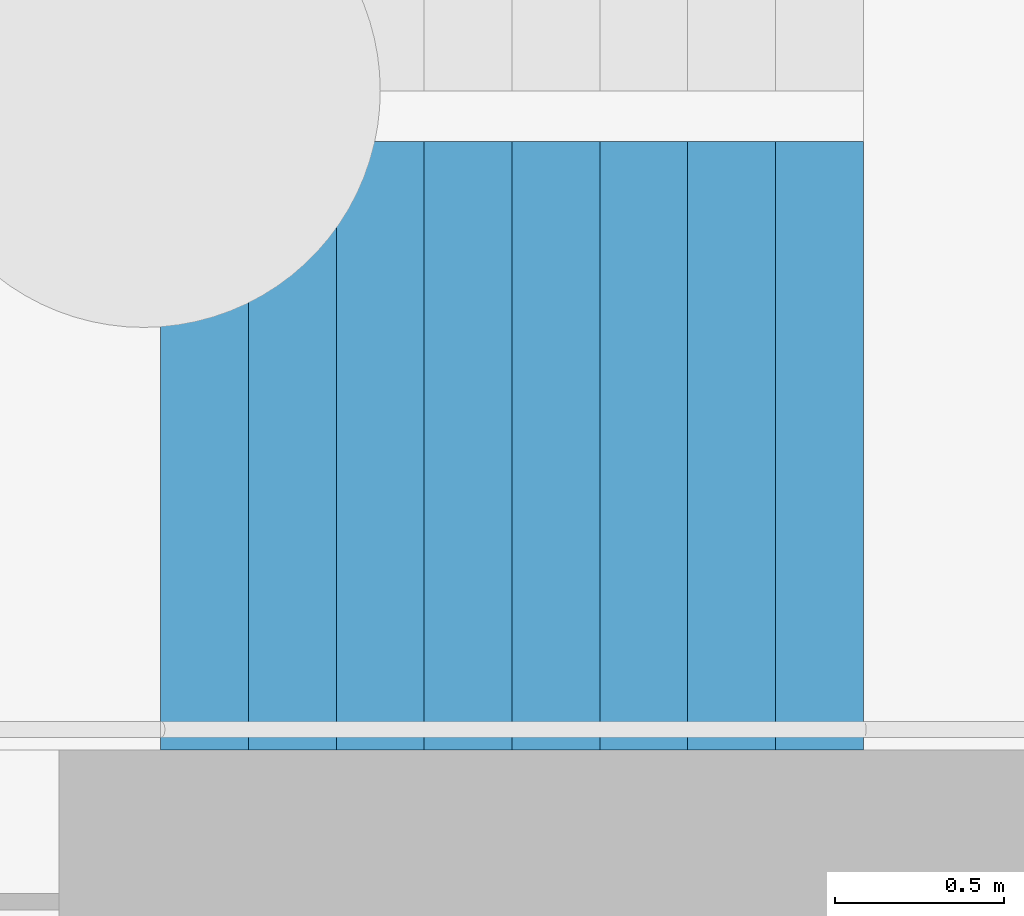
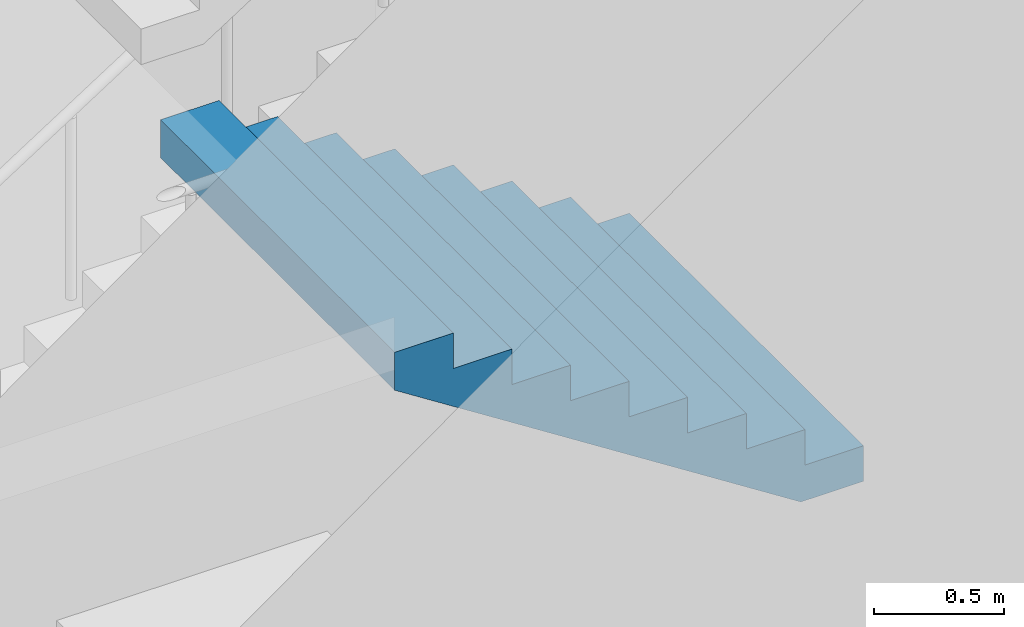
# One storey, part 68 of 113: 1 stair flight, 1 element without a shape of its own.
"""IFC4 building model written with IfcOpenShell, lengths in metres."""

from ifc_helpers import new_model, si_unit, direction, frame, origin, place, context, subcontext, project, spatial, triangles, material, type_object, element, aggregate, save


model = new_model("IFC4")

# Units and contexts
model_context = context("Model", 3, precision=1e-05, world=origin(), true_north=direction((0.0, 1.0)))
body_context = subcontext(model_context, "Body", "Model", "MODEL_VIEW")
ifc_project = project(units=[si_unit("LENGTHUNIT", "METRE"), si_unit("AREAUNIT", "SQUARE_METRE"), si_unit("VOLUMEUNIT", "CUBIC_METRE"), si_unit("PLANEANGLEUNIT", "RADIAN"), si_unit("MASSUNIT", "GRAM", prefix="KILO")], contexts=[model_context])

# Site, building, storey
site_placement = place(None, origin())
site = spatial("IfcSite", under=ifc_project, at=site_placement, CompositionType="ELEMENT")
building_placement = place(site_placement, origin())
building = spatial("IfcBuilding", under=site, at=building_placement, Name="Hakoniwa Tower and Hamabe Station Hall", CompositionType="ELEMENT")
storey_placement = place(building_placement, origin())
storey = spatial("IfcBuildingStorey", under=building, at=storey_placement, Name="L01", CompositionType="ELEMENT", Elevation=0.0)

# Stair, stair flight
ifc_material_1 = material(Name="Concrete C40", Category="concrete")
stair_type = type_object("IfcStairType", Name="ESCAPE STAIR 1800", PredefinedType="HALF_TURN_STAIR", material=ifc_material_1)
stair_placement = place(storey_placement, origin())
stair = element("IfcStair", 1, at=stair_placement, inside=storey, type_object=stair_type, Name="Escape stair ST-4 L01", PredefinedType="HALF_TURN_STAIR")
ifc_material_2 = material(Name="Concrete C40", Category="concrete")
stair_flight_type = type_object("IfcStairFlightType", Name="STAIR FLIGHT 1800", PredefinedType="STRAIGHT", material=ifc_material_2)
stair_flight_placement = place(storey_placement, frame((25.47998046875, -6.60009765625, 1.5), z_axis=(0.0, 0.0, 1.0), x_axis=(-1.0, 0.0, 0.0)))
stair_flight = element("IfcStairFlight", 2, at=stair_flight_placement, type_object=stair_flight_type, Name="ST-4 flight 2", NumberOfRisers=9, NumberOfTreads=8, PredefinedType="STRAIGHT", RiserHeight=0.166666667, TreadLength=0.26, context=body_context, shape_type="Tessellation", body=[
    triangles([(0.0, 0.89990234375, 0.0), (0.260009765625, 0.89990234375, 0.0), (0.27783203125, 0.89990234375, 0.0), (0.52001953125, 0.89990234375, 0.1552734375), (0.780029296875, 0.89990234375, 0.322021484375), (1.0400390625, 0.89990234375, 0.488525390625), (1.300048828125, 0.89990234375, 0.6552734375), (1.56005859375, 0.89990234375, 0.822021484375), (1.820068359375, 0.89990234375, 0.988525390625), (2.080078125, 0.89990234375, 1.1552734375), (2.080078125, 0.89990234375, 1.333251953125), (1.820068359375, 0.89990234375, 1.333251953125), (1.820068359375, 0.89990234375, 1.166748046875), (1.56005859375, 0.89990234375, 1.166748046875), (1.56005859375, 0.89990234375, 1.0), (1.300048828125, 0.89990234375, 1.0), (1.300048828125, 0.89990234375, 0.833251953125), (1.0400390625, 0.89990234375, 0.833251953125), (1.0400390625, 0.89990234375, 0.666748046875), (0.780029296875, 0.89990234375, 0.666748046875), (0.780029296875, 0.89990234375, 0.5), (0.52001953125, 0.89990234375, 0.5), (0.52001953125, 0.89990234375, 0.333251953125), (0.27783203125, 0.89990234375, 0.333251953125), (0.260009765625, 0.89990234375, 0.333251953125), (0.260009765625, 0.89990234375, 0.166748046875), (0.0, 0.89990234375, 0.166748046875), (0.0, 0.06005859375, 0.0), (0.260009765625, 0.06005859375, 0.0), (0.27783203125, 0.06005859375, 0.0), (0.52001953125, 0.06005859375, 0.1552734375), (0.780029296875, 0.06005859375, 0.322021484375), (1.0400390625, 0.06005859375, 0.488525390625), (1.300048828125, 0.06005859375, 0.6552734375), (1.56005859375, 0.06005859375, 0.822021484375), (1.820068359375, 0.06005859375, 0.988525390625), (2.080078125, 0.06005859375, 1.1552734375), (2.080078125, 0.06005859375, 1.333251953125), (1.820068359375, 0.06005859375, 1.333251953125), (1.820068359375, 0.06005859375, 1.166748046875), (1.56005859375, 0.06005859375, 1.166748046875), (1.56005859375, 0.06005859375, 1.0), (1.300048828125, 0.06005859375, 1.0), (1.300048828125, 0.06005859375, 0.833251953125), (1.0400390625, 0.06005859375, 0.833251953125), (1.0400390625, 0.06005859375, 0.666748046875), (0.780029296875, 0.06005859375, 0.666748046875), (0.780029296875, 0.06005859375, 0.5), (0.52001953125, 0.06005859375, 0.5), (0.52001953125, 0.06005859375, 0.333251953125), (0.27783203125, 0.06005859375, 0.333251953125), (0.260009765625, 0.06005859375, 0.333251953125), (0.260009765625, 0.06005859375, 0.166748046875), (0.0, 0.06005859375, 0.166748046875), (0.0, 0.04296875, 0.0), (0.260009765625, 0.04296875, 0.0), (0.27783203125, 0.04296875, 0.0), (0.52001953125, 0.04296875, 0.1552734375), (0.780029296875, 0.04296875, 0.322021484375), (1.0400390625, 0.04296875, 0.488525390625), (1.300048828125, 0.04296875, 0.6552734375), (1.56005859375, 0.04296875, 0.822021484375), (1.820068359375, 0.04296875, 0.988525390625), (2.080078125, 0.04296875, 1.1552734375), (2.080078125, 0.04296875, 1.333251953125), (1.820068359375, 0.04296875, 1.333251953125), (1.820068359375, 0.04296875, 1.166748046875), (1.56005859375, 0.04296875, 1.166748046875), (1.56005859375, 0.04296875, 1.0), (1.300048828125, 0.04296875, 1.0), (1.300048828125, 0.04296875, 0.833251953125), (1.0400390625, 0.04296875, 0.833251953125), (1.0400390625, 0.04296875, 0.666748046875), (0.780029296875, 0.04296875, 0.666748046875), (0.780029296875, 0.04296875, 0.5), (0.52001953125, 0.04296875, 0.5), (0.52001953125, 0.04296875, 0.333251953125), (0.27783203125, 0.04296875, 0.333251953125), (0.260009765625, 0.04296875, 0.333251953125), (0.260009765625, 0.04296875, 0.166748046875), (0.0, 0.04296875, 0.166748046875), (0.0, 0.025634765625, 0.0), (0.260009765625, 0.025634765625, 0.0), (0.27783203125, 0.025634765625, 0.0), (0.52001953125, 0.025634765625, 0.1552734375), (0.780029296875, 0.025634765625, 0.322021484375), (1.0400390625, 0.025634765625, 0.488525390625), (1.300048828125, 0.025634765625, 0.6552734375), (1.56005859375, 0.025634765625, 0.822021484375), (1.820068359375, 0.025634765625, 0.988525390625), (2.080078125, 0.025634765625, 1.1552734375), (2.080078125, 0.025634765625, 1.333251953125), (1.820068359375, 0.025634765625, 1.333251953125), (1.820068359375, 0.025634765625, 1.166748046875), (1.56005859375, 0.025634765625, 1.166748046875), (1.56005859375, 0.025634765625, 1.0), (1.300048828125, 0.025634765625, 1.0), (1.300048828125, 0.025634765625, 0.833251953125), (1.0400390625, 0.025634765625, 0.833251953125), (1.0400390625, 0.025634765625, 0.666748046875), (0.780029296875, 0.025634765625, 0.666748046875), (0.780029296875, 0.025634765625, 0.5), (0.52001953125, 0.025634765625, 0.5), (0.52001953125, 0.025634765625, 0.333251953125), (0.27783203125, 0.025634765625, 0.333251953125), (0.260009765625, 0.025634765625, 0.333251953125), (0.260009765625, 0.025634765625, 0.166748046875), (0.0, 0.025634765625, 0.166748046875), (0.0, 0.008544921875, 0.0), (0.260009765625, 0.008544921875, 0.0), (0.27783203125, 0.008544921875, 0.0), (0.52001953125, 0.008544921875, 0.1552734375), (0.780029296875, 0.008544921875, 0.322021484375), (1.0400390625, 0.008544921875, 0.488525390625), (1.300048828125, 0.008544921875, 0.6552734375), (1.56005859375, 0.008544921875, 0.822021484375), (1.820068359375, 0.008544921875, 0.988525390625), (2.080078125, 0.008544921875, 1.1552734375), (2.080078125, 0.008544921875, 1.333251953125), (1.820068359375, 0.008544921875, 1.333251953125), (1.820068359375, 0.008544921875, 1.166748046875), (1.56005859375, 0.008544921875, 1.166748046875), (1.56005859375, 0.008544921875, 1.0), (1.300048828125, 0.008544921875, 1.0), (1.300048828125, 0.008544921875, 0.833251953125), (1.0400390625, 0.008544921875, 0.833251953125), (1.0400390625, 0.008544921875, 0.666748046875), (0.780029296875, 0.008544921875, 0.666748046875), (0.780029296875, 0.008544921875, 0.5), (0.52001953125, 0.008544921875, 0.5), (0.52001953125, 0.008544921875, 0.333251953125), (0.27783203125, 0.008544921875, 0.333251953125), (0.260009765625, 0.008544921875, 0.333251953125), (0.260009765625, 0.008544921875, 0.166748046875), (0.0, 0.008544921875, 0.166748046875), (0.0, -0.008544921875, 0.0), (0.260009765625, -0.008544921875, 0.0), (0.27783203125, -0.008544921875, 0.0), (0.52001953125, -0.008544921875, 0.1552734375), (0.780029296875, -0.008544921875, 0.322021484375), (1.0400390625, -0.008544921875, 0.488525390625), (1.300048828125, -0.008544921875, 0.6552734375), (1.56005859375, -0.008544921875, 0.822021484375), (1.820068359375, -0.008544921875, 0.988525390625), (2.080078125, -0.008544921875, 1.1552734375), (2.080078125, -0.008544921875, 1.333251953125), (1.820068359375, -0.008544921875, 1.333251953125), (1.820068359375, -0.008544921875, 1.166748046875), (1.56005859375, -0.008544921875, 1.166748046875), (1.56005859375, -0.008544921875, 1.0), (1.300048828125, -0.008544921875, 1.0), (1.300048828125, -0.008544921875, 0.833251953125), (1.0400390625, -0.008544921875, 0.833251953125), (1.0400390625, -0.008544921875, 0.666748046875), (0.780029296875, -0.008544921875, 0.666748046875), (0.780029296875, -0.008544921875, 0.5), (0.52001953125, -0.008544921875, 0.5), (0.52001953125, -0.008544921875, 0.333251953125), (0.27783203125, -0.008544921875, 0.333251953125), (0.260009765625, -0.008544921875, 0.333251953125), (0.260009765625, -0.008544921875, 0.166748046875), (0.0, -0.008544921875, 0.166748046875), (0.0, -0.025634765625, 0.0), (0.260009765625, -0.025634765625, 0.0), (0.27783203125, -0.025634765625, 0.0), (0.52001953125, -0.025634765625, 0.1552734375), (0.780029296875, -0.025634765625, 0.322021484375), (1.0400390625, -0.025634765625, 0.488525390625), (1.300048828125, -0.025634765625, 0.6552734375), (1.56005859375, -0.025634765625, 0.822021484375), (1.820068359375, -0.025634765625, 0.988525390625), (2.080078125, -0.025634765625, 1.1552734375), (2.080078125, -0.025634765625, 1.333251953125), (1.820068359375, -0.025634765625, 1.333251953125), (1.820068359375, -0.025634765625, 1.166748046875), (1.56005859375, -0.025634765625, 1.166748046875), (1.56005859375, -0.025634765625, 1.0), (1.300048828125, -0.025634765625, 1.0), (1.300048828125, -0.025634765625, 0.833251953125), (1.0400390625, -0.025634765625, 0.833251953125), (1.0400390625, -0.025634765625, 0.666748046875), (0.780029296875, -0.025634765625, 0.666748046875), (0.780029296875, -0.025634765625, 0.5), (0.52001953125, -0.025634765625, 0.5), (0.52001953125, -0.025634765625, 0.333251953125), (0.27783203125, -0.025634765625, 0.333251953125), (0.260009765625, -0.025634765625, 0.333251953125), (0.260009765625, -0.025634765625, 0.166748046875), (0.0, -0.025634765625, 0.166748046875), (0.0, -0.04296875, 0.0), (0.260009765625, -0.04296875, 0.0), (0.27783203125, -0.04296875, 0.0), (0.52001953125, -0.04296875, 0.1552734375), (0.780029296875, -0.04296875, 0.322021484375), (1.0400390625, -0.04296875, 0.488525390625), (1.300048828125, -0.04296875, 0.6552734375), (1.56005859375, -0.04296875, 0.822021484375), (1.820068359375, -0.04296875, 0.988525390625), (2.080078125, -0.04296875, 1.1552734375), (2.080078125, -0.04296875, 1.333251953125), (1.820068359375, -0.04296875, 1.333251953125), (1.820068359375, -0.04296875, 1.166748046875), (1.56005859375, -0.04296875, 1.166748046875), (1.56005859375, -0.04296875, 1.0), (1.300048828125, -0.04296875, 1.0), (1.300048828125, -0.04296875, 0.833251953125), (1.0400390625, -0.04296875, 0.833251953125), (1.0400390625, -0.04296875, 0.666748046875), (0.780029296875, -0.04296875, 0.666748046875), (0.780029296875, -0.04296875, 0.5), (0.52001953125, -0.04296875, 0.5), (0.52001953125, -0.04296875, 0.333251953125), (0.27783203125, -0.04296875, 0.333251953125), (0.260009765625, -0.04296875, 0.333251953125), (0.260009765625, -0.04296875, 0.166748046875), (0.0, -0.04296875, 0.166748046875), (0.0, -0.06005859375, 0.0), (0.260009765625, -0.06005859375, 0.0), (0.27783203125, -0.06005859375, 0.0), (0.52001953125, -0.06005859375, 0.1552734375), (0.780029296875, -0.06005859375, 0.322021484375), (1.0400390625, -0.06005859375, 0.488525390625), (1.300048828125, -0.06005859375, 0.6552734375), (1.56005859375, -0.06005859375, 0.822021484375), (1.820068359375, -0.06005859375, 0.988525390625), (2.080078125, -0.06005859375, 1.1552734375), (2.080078125, -0.06005859375, 1.333251953125), (1.820068359375, -0.06005859375, 1.333251953125), (1.820068359375, -0.06005859375, 1.166748046875), (1.56005859375, -0.06005859375, 1.166748046875), (1.56005859375, -0.06005859375, 1.0), (1.300048828125, -0.06005859375, 1.0), (1.300048828125, -0.06005859375, 0.833251953125), (1.0400390625, -0.06005859375, 0.833251953125), (1.0400390625, -0.06005859375, 0.666748046875), (0.780029296875, -0.06005859375, 0.666748046875), (0.780029296875, -0.06005859375, 0.5), (0.52001953125, -0.06005859375, 0.5), (0.52001953125, -0.06005859375, 0.333251953125), (0.27783203125, -0.06005859375, 0.333251953125), (0.260009765625, -0.06005859375, 0.333251953125), (0.260009765625, -0.06005859375, 0.166748046875), (0.0, -0.06005859375, 0.166748046875), (0.0, -0.89990234375, 0.0), (0.260009765625, -0.89990234375, 0.0), (0.27783203125, -0.89990234375, 0.0), (0.52001953125, -0.89990234375, 0.1552734375), (0.780029296875, -0.89990234375, 0.322021484375), (1.0400390625, -0.89990234375, 0.488525390625), (1.300048828125, -0.89990234375, 0.6552734375), (1.56005859375, -0.89990234375, 0.822021484375), (1.820068359375, -0.89990234375, 0.988525390625), (2.080078125, -0.89990234375, 1.1552734375), (2.080078125, -0.89990234375, 1.333251953125), (1.820068359375, -0.89990234375, 1.333251953125), (1.820068359375, -0.89990234375, 1.166748046875), (1.56005859375, -0.89990234375, 1.166748046875), (1.56005859375, -0.89990234375, 1.0), (1.300048828125, -0.89990234375, 1.0), (1.300048828125, -0.89990234375, 0.833251953125), (1.0400390625, -0.89990234375, 0.833251953125), (1.0400390625, -0.89990234375, 0.666748046875), (0.780029296875, -0.89990234375, 0.666748046875), (0.780029296875, -0.89990234375, 0.5), (0.52001953125, -0.89990234375, 0.5), (0.52001953125, -0.89990234375, 0.333251953125), (0.27783203125, -0.89990234375, 0.333251953125), (0.260009765625, -0.89990234375, 0.333251953125), (0.260009765625, -0.89990234375, 0.166748046875), (0.0, -0.89990234375, 0.166748046875)], [[2, 27, 26], [245, 269, 270], [2, 1, 27], [245, 270, 244], [3, 25, 24], [246, 267, 268], [3, 26, 25], [246, 268, 269], [3, 2, 26], [246, 269, 245], [4, 24, 23], [247, 266, 267], [4, 3, 24], [247, 267, 246], [5, 22, 21], [248, 264, 265], [5, 23, 22], [248, 265, 266], [5, 4, 23], [248, 266, 247], [6, 20, 19], [249, 262, 263], [6, 21, 20], [249, 263, 264], [6, 5, 21], [249, 264, 248], [7, 18, 17], [250, 260, 261], [7, 19, 18], [250, 261, 262], [7, 6, 19], [250, 262, 249], [8, 16, 15], [251, 258, 259], [8, 17, 16], [251, 259, 260], [8, 7, 17], [251, 260, 250], [9, 14, 13], [252, 256, 257], [9, 15, 14], [252, 257, 258], [9, 8, 15], [252, 258, 251], [10, 12, 11], [253, 254, 255], [10, 13, 12], [253, 255, 256], [10, 9, 13], [253, 256, 252], [1, 2, 29], [1, 29, 28], [28, 29, 56], [28, 56, 55], [55, 56, 83], [55, 83, 82], [82, 83, 110], [82, 110, 109], [109, 110, 137], [109, 137, 136], [136, 137, 164], [136, 164, 163], [163, 164, 191], [163, 191, 190], [190, 191, 218], [190, 218, 217], [217, 218, 245], [217, 245, 244], [2, 3, 30], [2, 30, 29], [29, 30, 57], [29, 57, 56], [56, 57, 84], [56, 84, 83], [83, 84, 111], [83, 111, 110], [110, 111, 138], [110, 138, 137], [137, 138, 165], [137, 165, 164], [164, 165, 192], [164, 192, 191], [191, 192, 219], [191, 219, 218], [218, 219, 246], [218, 246, 245], [3, 4, 31], [3, 31, 30], [30, 31, 58], [30, 58, 57], [57, 58, 85], [57, 85, 84], [84, 85, 112], [84, 112, 111], [111, 112, 139], [111, 139, 138], [138, 139, 166], [138, 166, 165], [165, 166, 193], [165, 193, 192], [192, 193, 220], [192, 220, 219], [219, 220, 247], [219, 247, 246], [4, 5, 32], [4, 32, 31], [31, 32, 59], [31, 59, 58], [58, 59, 86], [58, 86, 85], [85, 86, 113], [85, 113, 112], [112, 113, 140], [112, 140, 139], [139, 140, 167], [139, 167, 166], [166, 167, 194], [166, 194, 193], [193, 194, 221], [193, 221, 220], [220, 221, 248], [220, 248, 247], [5, 6, 33], [5, 33, 32], [32, 33, 60], [32, 60, 59], [59, 60, 87], [59, 87, 86], [86, 87, 114], [86, 114, 113], [113, 114, 141], [113, 141, 140], [140, 141, 168], [140, 168, 167], [167, 168, 195], [167, 195, 194], [194, 195, 222], [194, 222, 221], [221, 222, 249], [221, 249, 248], [6, 7, 34], [6, 34, 33], [33, 34, 61], [33, 61, 60], [60, 61, 88], [60, 88, 87], [87, 88, 115], [87, 115, 114], [114, 115, 142], [114, 142, 141], [141, 142, 169], [141, 169, 168], [168, 169, 196], [168, 196, 195], [195, 196, 223], [195, 223, 222], [222, 223, 250], [222, 250, 249], [7, 8, 35], [7, 35, 34], [34, 35, 62], [34, 62, 61], [61, 62, 89], [61, 89, 88], [88, 89, 116], [88, 116, 115], [115, 116, 143], [115, 143, 142], [142, 143, 170], [142, 170, 169], [169, 170, 197], [169, 197, 196], [196, 197, 224], [196, 224, 223], [223, 224, 251], [223, 251, 250], [8, 9, 36], [8, 36, 35], [35, 36, 63], [35, 63, 62], [62, 63, 90], [62, 90, 89], [89, 90, 117], [89, 117, 116], [116, 117, 144], [116, 144, 143], [143, 144, 171], [143, 171, 170], [170, 171, 198], [170, 198, 197], [197, 198, 225], [197, 225, 224], [224, 225, 252], [224, 252, 251], [9, 10, 37], [9, 37, 36], [36, 37, 64], [36, 64, 63], [63, 64, 91], [63, 91, 90], [90, 91, 118], [90, 118, 117], [117, 118, 145], [117, 145, 144], [144, 145, 172], [144, 172, 171], [171, 172, 199], [171, 199, 198], [198, 199, 226], [198, 226, 225], [225, 226, 253], [225, 253, 252], [10, 11, 38], [10, 38, 37], [37, 38, 65], [37, 65, 64], [64, 65, 92], [64, 92, 91], [91, 92, 119], [91, 119, 118], [118, 119, 146], [118, 146, 145], [145, 146, 173], [145, 173, 172], [172, 173, 200], [172, 200, 199], [199, 200, 227], [199, 227, 226], [226, 227, 254], [226, 254, 253], [11, 12, 39], [11, 39, 38], [38, 39, 66], [38, 66, 65], [65, 66, 93], [65, 93, 92], [92, 93, 120], [92, 120, 119], [119, 120, 147], [119, 147, 146], [146, 147, 174], [146, 174, 173], [173, 174, 201], [173, 201, 200], [200, 201, 228], [200, 228, 227], [227, 228, 255], [227, 255, 254], [12, 13, 40], [12, 40, 39], [39, 40, 67], [39, 67, 66], [66, 67, 94], [66, 94, 93], [93, 94, 121], [93, 121, 120], [120, 121, 148], [120, 148, 147], [147, 148, 175], [147, 175, 174], [174, 175, 202], [174, 202, 201], [201, 202, 229], [201, 229, 228], [228, 229, 256], [228, 256, 255], [13, 14, 41], [13, 41, 40], [40, 41, 68], [40, 68, 67], [67, 68, 95], [67, 95, 94], [94, 95, 122], [94, 122, 121], [121, 122, 149], [121, 149, 148], [148, 149, 176], [148, 176, 175], [175, 176, 203], [175, 203, 202], [202, 203, 230], [202, 230, 229], [229, 230, 257], [229, 257, 256], [14, 15, 42], [14, 42, 41], [41, 42, 69], [41, 69, 68], [68, 69, 96], [68, 96, 95], [95, 96, 123], [95, 123, 122], [122, 123, 150], [122, 150, 149], [149, 150, 177], [149, 177, 176], [176, 177, 204], [176, 204, 203], [203, 204, 231], [203, 231, 230], [230, 231, 258], [230, 258, 257], [15, 16, 43], [15, 43, 42], [42, 43, 70], [42, 70, 69], [69, 70, 97], [69, 97, 96], [96, 97, 124], [96, 124, 123], [123, 124, 151], [123, 151, 150], [150, 151, 178], [150, 178, 177], [177, 178, 205], [177, 205, 204], [204, 205, 232], [204, 232, 231], [231, 232, 259], [231, 259, 258], [16, 17, 44], [16, 44, 43], [43, 44, 71], [43, 71, 70], [70, 71, 98], [70, 98, 97], [97, 98, 125], [97, 125, 124], [124, 125, 152], [124, 152, 151], [151, 152, 179], [151, 179, 178], [178, 179, 206], [178, 206, 205], [205, 206, 233], [205, 233, 232], [232, 233, 260], [232, 260, 259], [17, 18, 45], [17, 45, 44], [44, 45, 72], [44, 72, 71], [71, 72, 99], [71, 99, 98], [98, 99, 126], [98, 126, 125], [125, 126, 153], [125, 153, 152], [152, 153, 180], [152, 180, 179], [179, 180, 207], [179, 207, 206], [206, 207, 234], [206, 234, 233], [233, 234, 261], [233, 261, 260], [18, 19, 46], [18, 46, 45], [45, 46, 73], [45, 73, 72], [72, 73, 100], [72, 100, 99], [99, 100, 127], [99, 127, 126], [126, 127, 154], [126, 154, 153], [153, 154, 181], [153, 181, 180], [180, 181, 208], [180, 208, 207], [207, 208, 235], [207, 235, 234], [234, 235, 262], [234, 262, 261], [19, 20, 47], [19, 47, 46], [46, 47, 74], [46, 74, 73], [73, 74, 101], [73, 101, 100], [100, 101, 128], [100, 128, 127], [127, 128, 155], [127, 155, 154], [154, 155, 182], [154, 182, 181], [181, 182, 209], [181, 209, 208], [208, 209, 236], [208, 236, 235], [235, 236, 263], [235, 263, 262], [20, 21, 48], [20, 48, 47], [47, 48, 75], [47, 75, 74], [74, 75, 102], [74, 102, 101], [101, 102, 129], [101, 129, 128], [128, 129, 156], [128, 156, 155], [155, 156, 183], [155, 183, 182], [182, 183, 210], [182, 210, 209], [209, 210, 237], [209, 237, 236], [236, 237, 264], [236, 264, 263], [21, 22, 49], [21, 49, 48], [48, 49, 76], [48, 76, 75], [75, 76, 103], [75, 103, 102], [102, 103, 130], [102, 130, 129], [129, 130, 157], [129, 157, 156], [156, 157, 184], [156, 184, 183], [183, 184, 211], [183, 211, 210], [210, 211, 238], [210, 238, 237], [237, 238, 265], [237, 265, 264], [22, 23, 50], [22, 50, 49], [49, 50, 77], [49, 77, 76], [76, 77, 104], [76, 104, 103], [103, 104, 131], [103, 131, 130], [130, 131, 158], [130, 158, 157], [157, 158, 185], [157, 185, 184], [184, 185, 212], [184, 212, 211], [211, 212, 239], [211, 239, 238], [238, 239, 266], [238, 266, 265], [23, 24, 51], [23, 51, 50], [50, 51, 78], [50, 78, 77], [77, 78, 105], [77, 105, 104], [104, 105, 132], [104, 132, 131], [131, 132, 159], [131, 159, 158], [158, 159, 186], [158, 186, 185], [185, 186, 213], [185, 213, 212], [212, 213, 240], [212, 240, 239], [239, 240, 267], [239, 267, 266], [24, 25, 52], [24, 52, 51], [51, 52, 79], [51, 79, 78], [78, 79, 106], [78, 106, 105], [105, 106, 133], [105, 133, 132], [132, 133, 160], [132, 160, 159], [159, 160, 187], [159, 187, 186], [186, 187, 214], [186, 214, 213], [213, 214, 241], [213, 241, 240], [240, 241, 268], [240, 268, 267], [25, 26, 53], [25, 53, 52], [52, 53, 80], [52, 80, 79], [79, 80, 107], [79, 107, 106], [106, 107, 134], [106, 134, 133], [133, 134, 161], [133, 161, 160], [160, 161, 188], [160, 188, 187], [187, 188, 215], [187, 215, 214], [214, 215, 242], [214, 242, 241], [241, 242, 269], [241, 269, 268], [26, 27, 54], [26, 54, 53], [53, 54, 81], [53, 81, 80], [80, 81, 108], [80, 108, 107], [107, 108, 135], [107, 135, 134], [134, 135, 162], [134, 162, 161], [161, 162, 189], [161, 189, 188], [188, 189, 216], [188, 216, 215], [215, 216, 243], [215, 243, 242], [242, 243, 270], [242, 270, 269], [27, 1, 28], [27, 28, 54], [54, 28, 55], [54, 55, 81], [81, 55, 82], [81, 82, 108], [108, 82, 109], [108, 109, 135], [135, 109, 136], [135, 136, 162], [162, 136, 163], [162, 163, 189], [189, 163, 190], [189, 190, 216], [216, 190, 217], [216, 217, 243], [243, 217, 244], [243, 244, 270]], closed=True),
])
aggregate(stair, [stair_flight])

save(model, "model.ifc")
